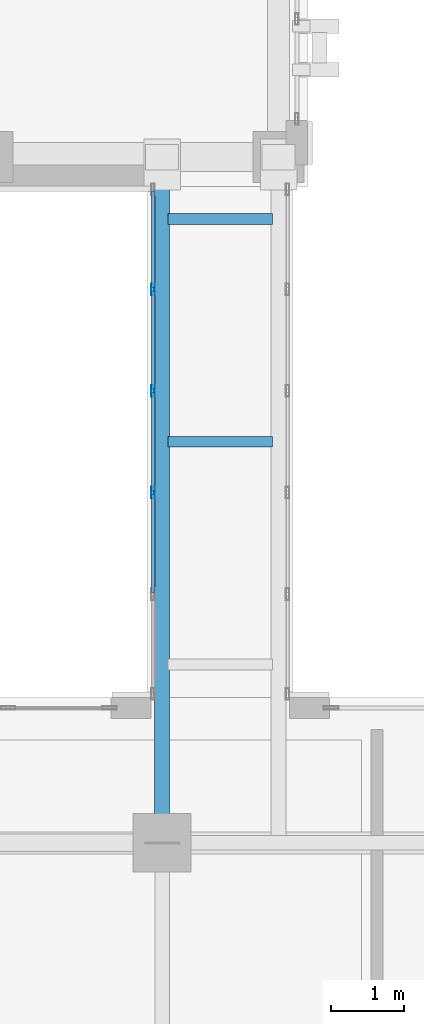
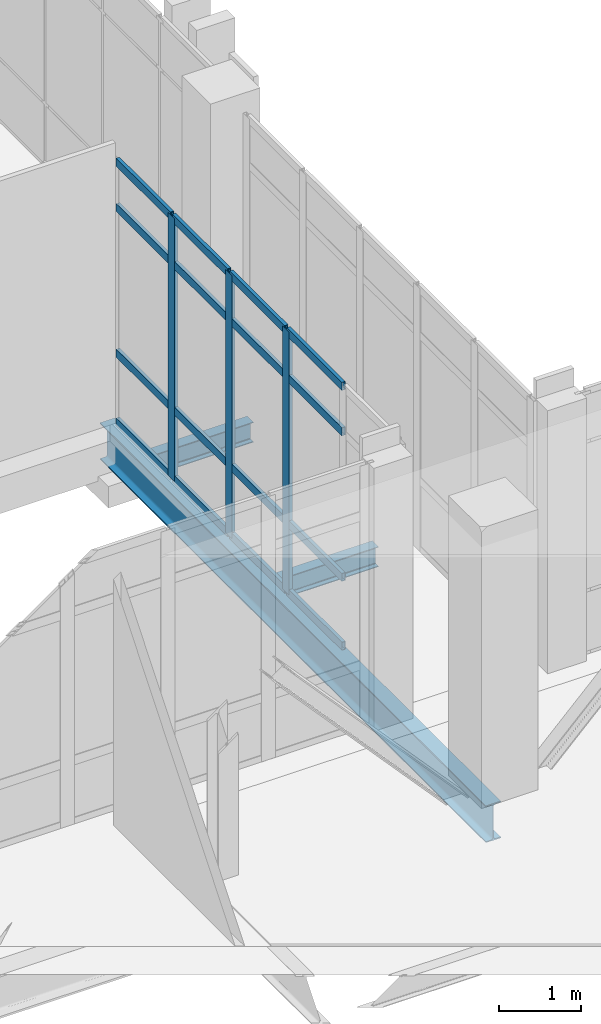
# One storey, part 20 of 165: 19 members, 3 beams, 1 element without a shape of its own.
"""IFC4 building model written with IfcOpenShell, lengths in metres."""

from ifc_helpers import new_model, si_unit, direction, frame, origin, origin_2d, place, context, subcontext, project, spatial, hollow_rectangle, i_section, extrude, material, layer, layer_set, material_profile, profile_set, type_object, element, aggregate, save


model = new_model("IFC4")

# Units and contexts
model_context = context("Model", 3, precision=1e-05, world=origin(), true_north=direction((0.0, 1.0)))
body_context = subcontext(model_context, "Body", "Model", "MODEL_VIEW")
ifc_project = project(units=[si_unit("LENGTHUNIT", "METRE"), si_unit("AREAUNIT", "SQUARE_METRE"), si_unit("VOLUMEUNIT", "CUBIC_METRE"), si_unit("PLANEANGLEUNIT", "RADIAN"), si_unit("MASSUNIT", "GRAM", prefix="KILO")], contexts=[model_context])

# Site, building, storey
site_placement = place(None, origin())
site = spatial("IfcSite", under=ifc_project, at=site_placement, CompositionType="ELEMENT")
building_placement = place(site_placement, origin())
building = spatial("IfcBuilding", under=site, at=building_placement, Name="Qalavern Law Courts", CompositionType="ELEMENT")
storey_placement = place(building_placement, frame((0.0, 0.0, 14.39990234375)))
storey = spatial("IfcBuildingStorey", under=building, at=storey_placement, Name="L03", CompositionType="ELEMENT", Elevation=14.39990234375)

# Curtain wall, members
ifc_material_1 = material(Name="Anodised aluminium and insulated glazing", Category="aluminium")
ifc_layer = layer(ifc_material_1, 0.14990234375)
ifc_layer_set = layer_set([ifc_layer], Name="Anodised aluminium and insulated glazing")
curtain_wall_type = type_object("IfcCurtainWallType", Name="ENV-CW-BRG", PredefinedType="USERDEFINED", material=ifc_layer_set)
curtain_wall_placement = place(storey_placement, origin())
curtain_wall = element("IfcCurtainWall", 1, at=curtain_wall_placement, inside=storey, type_object=curtain_wall_type, Name="Bridge BR-V1-V3 glazed curtain wall L03-1", ObjectType="UNITISED CURTAIN WALL", PredefinedType="USERDEFINED")
ifc_material_2 = material(Name="Anodised aluminium", Category="aluminium")
ifc_material_profile_1 = material_profile(ifc_material_2, hollow_rectangle(XDim=0.048095703125, YDim=0.159912109375, WallThickness=0.00390625, at=origin_2d()), Name="ALU MULLION 48x160")
ifc_profile_set_1 = profile_set([ifc_material_profile_1], Name="Anodised aluminium")
member_type_1 = type_object("IfcMemberType", Name="ENV-CWM-48x160", PredefinedType="MULLION", material=ifc_profile_set_1)
member_1_placement = place(storey_placement, frame((16.675048828125, 39.60400390625, 0.0), z_axis=(0.0, 0.0, 1.0), x_axis=(1.0, 0.0, 0.0)))
member_1 = element("IfcMember", 2, at=member_1_placement, type_object=member_type_1, Name="CW-06 mullion 2", PredefinedType="MULLION", context=body_context, shape_type="SweptSolid", body=[
    extrude(hollow_rectangle(XDim=0.048095703125, YDim=0.159912109375, WallThickness=0.00390625, at=origin_2d()), origin(), (0.0, 0.0, 1.0), 3.920166015625),
])
member_2_placement = place(storey_placement, frame((16.675048828125, 38.2080078125, 0.0), z_axis=(0.0, 0.0, 1.0), x_axis=(1.0, 0.0, 0.0)))
member_2 = element("IfcMember", 3, at=member_2_placement, type_object=member_type_1, Name="CW-06 mullion 3", PredefinedType="MULLION", context=body_context, shape_type="SweptSolid", body=[
    extrude(hollow_rectangle(XDim=0.048095703125, YDim=0.159912109375, WallThickness=0.00390625, at=origin_2d()), origin(), (0.0, 0.0, 1.0), 3.920166015625),
])
member_3_placement = place(storey_placement, frame((16.675048828125, 36.81201171875, 0.0), z_axis=(0.0, 0.0, 1.0), x_axis=(1.0, 0.0, 0.0)))
member_3 = element("IfcMember", 4, at=member_3_placement, type_object=member_type_1, Name="CW-06 mullion 4", PredefinedType="MULLION", context=body_context, shape_type="SweptSolid", body=[
    extrude(hollow_rectangle(XDim=0.048095703125, YDim=0.159912109375, WallThickness=0.00390625, at=origin_2d()), origin(), (0.0, 0.0, 1.0), 3.920166015625),
])
ifc_material_profile_2 = material_profile(ifc_material_2, hollow_rectangle(XDim=0.048095703125, YDim=0.1201171875, WallThickness=0.00390625, at=origin_2d()), Name="ALU TRANSOM 48x120")
ifc_profile_set_2 = profile_set([ifc_material_profile_2], Name="Anodised aluminium")
member_type_2 = type_object("IfcMemberType", Name="ENV-CWT-48x120", PredefinedType="USERDEFINED", material=ifc_profile_set_2)
member_4_placement = place(storey_placement, frame((16.675048828125, 40.951904296875, 0.024169921875), z_axis=(0.0, -1.0, 0.0), x_axis=(1.0, 0.0, 0.0)))
member_4 = element("IfcMember", 5, at=member_4_placement, type_object=member_type_2, Name="CW-06 transom 1.1", ObjectType="TRANSOM", PredefinedType="USERDEFINED", context=body_context, shape_type="SweptSolid", body=[
    extrude(hollow_rectangle(XDim=0.048095703125, YDim=0.1201171875, WallThickness=0.00390625, at=origin_2d()), origin(), (0.0, 0.0, 1.0), 1.323974609375),
])
member_5_placement = place(storey_placement, frame((16.675048828125, 40.951904296875, 1.050048828125), z_axis=(0.0, -1.0, 0.0), x_axis=(1.0, 0.0, 0.0)))
member_5 = element("IfcMember", 6, at=member_5_placement, type_object=member_type_2, Name="CW-06 transom 1.2", ObjectType="TRANSOM", PredefinedType="USERDEFINED", context=body_context, shape_type="SweptSolid", body=[
    extrude(hollow_rectangle(XDim=0.048095703125, YDim=0.1201171875, WallThickness=0.00390625, at=origin_2d()), origin(), (0.0, 0.0, 1.0), 1.323974609375),
])
member_6_placement = place(storey_placement, frame((16.675048828125, 40.951904296875, 3.22021484375), z_axis=(0.0, -1.0, 0.0), x_axis=(1.0, 0.0, 0.0)))
member_6 = element("IfcMember", 7, at=member_6_placement, type_object=member_type_2, Name="CW-06 transom 1.3", ObjectType="TRANSOM", PredefinedType="USERDEFINED", context=body_context, shape_type="SweptSolid", body=[
    extrude(hollow_rectangle(XDim=0.048095703125, YDim=0.1201171875, WallThickness=0.00390625, at=origin_2d()), origin(), (0.0, 0.0, 1.0), 1.323974609375),
])
member_7_placement = place(storey_placement, frame((16.675048828125, 40.951904296875, 3.89599609375), z_axis=(0.0, -1.0, 0.0), x_axis=(1.0, 0.0, 0.0)))
member_7 = element("IfcMember", 8, at=member_7_placement, type_object=member_type_2, Name="CW-06 transom 1.4", ObjectType="TRANSOM", PredefinedType="USERDEFINED", context=body_context, shape_type="SweptSolid", body=[
    extrude(hollow_rectangle(XDim=0.048095703125, YDim=0.1201171875, WallThickness=0.00390625, at=origin_2d()), origin(), (0.0, 0.0, 1.0), 1.323974609375),
])
member_8_placement = place(storey_placement, frame((16.675048828125, 39.580078125, 0.024169921875), z_axis=(0.0, -1.0, 0.0), x_axis=(1.0, 0.0, 0.0)))
member_8 = element("IfcMember", 9, at=member_8_placement, type_object=member_type_2, Name="CW-06 transom 2.1", ObjectType="TRANSOM", PredefinedType="USERDEFINED", context=body_context, shape_type="SweptSolid", body=[
    extrude(hollow_rectangle(XDim=0.048095703125, YDim=0.1201171875, WallThickness=0.00390625, at=origin_2d()), origin(), (0.0, 0.0, 1.0), 1.34814453125),
])
member_9_placement = place(storey_placement, frame((16.675048828125, 39.580078125, 1.050048828125), z_axis=(0.0, -1.0, 0.0), x_axis=(1.0, 0.0, 0.0)))
member_9 = element("IfcMember", 10, at=member_9_placement, type_object=member_type_2, Name="CW-06 transom 2.2", ObjectType="TRANSOM", PredefinedType="USERDEFINED", context=body_context, shape_type="SweptSolid", body=[
    extrude(hollow_rectangle(XDim=0.048095703125, YDim=0.1201171875, WallThickness=0.00390625, at=origin_2d()), origin(), (0.0, 0.0, 1.0), 1.34814453125),
])
member_10_placement = place(storey_placement, frame((16.675048828125, 39.580078125, 3.22021484375), z_axis=(0.0, -1.0, 0.0), x_axis=(1.0, 0.0, 0.0)))
member_10 = element("IfcMember", 11, at=member_10_placement, type_object=member_type_2, Name="CW-06 transom 2.3", ObjectType="TRANSOM", PredefinedType="USERDEFINED", context=body_context, shape_type="SweptSolid", body=[
    extrude(hollow_rectangle(XDim=0.048095703125, YDim=0.1201171875, WallThickness=0.00390625, at=origin_2d()), origin(), (0.0, 0.0, 1.0), 1.34814453125),
])
member_11_placement = place(storey_placement, frame((16.675048828125, 39.580078125, 3.89599609375), z_axis=(0.0, -1.0, 0.0), x_axis=(1.0, 0.0, 0.0)))
member_11 = element("IfcMember", 12, at=member_11_placement, type_object=member_type_2, Name="CW-06 transom 2.4", ObjectType="TRANSOM", PredefinedType="USERDEFINED", context=body_context, shape_type="SweptSolid", body=[
    extrude(hollow_rectangle(XDim=0.048095703125, YDim=0.1201171875, WallThickness=0.00390625, at=origin_2d()), origin(), (0.0, 0.0, 1.0), 1.34814453125),
])
member_12_placement = place(storey_placement, frame((16.675048828125, 38.18408203125, 0.024169921875), z_axis=(0.0, -1.0, 0.0), x_axis=(1.0, 0.0, 0.0)))
member_12 = element("IfcMember", 13, at=member_12_placement, type_object=member_type_2, Name="CW-06 transom 3.1", ObjectType="TRANSOM", PredefinedType="USERDEFINED", context=body_context, shape_type="SweptSolid", body=[
    extrude(hollow_rectangle(XDim=0.048095703125, YDim=0.1201171875, WallThickness=0.00390625, at=origin_2d()), origin(), (0.0, 0.0, 1.0), 1.34814453125),
])
member_13_placement = place(storey_placement, frame((16.675048828125, 38.18408203125, 1.050048828125), z_axis=(0.0, -1.0, 0.0), x_axis=(1.0, 0.0, 0.0)))
member_13 = element("IfcMember", 14, at=member_13_placement, type_object=member_type_2, Name="CW-06 transom 3.2", ObjectType="TRANSOM", PredefinedType="USERDEFINED", context=body_context, shape_type="SweptSolid", body=[
    extrude(hollow_rectangle(XDim=0.048095703125, YDim=0.1201171875, WallThickness=0.00390625, at=origin_2d()), origin(), (0.0, 0.0, 1.0), 1.34814453125),
])
member_14_placement = place(storey_placement, frame((16.675048828125, 38.18408203125, 3.22021484375), z_axis=(0.0, -1.0, 0.0), x_axis=(1.0, 0.0, 0.0)))
member_14 = element("IfcMember", 15, at=member_14_placement, type_object=member_type_2, Name="CW-06 transom 3.3", ObjectType="TRANSOM", PredefinedType="USERDEFINED", context=body_context, shape_type="SweptSolid", body=[
    extrude(hollow_rectangle(XDim=0.048095703125, YDim=0.1201171875, WallThickness=0.00390625, at=origin_2d()), origin(), (0.0, 0.0, 1.0), 1.34814453125),
])
member_15_placement = place(storey_placement, frame((16.675048828125, 38.18408203125, 3.89599609375), z_axis=(0.0, -1.0, 0.0), x_axis=(1.0, 0.0, 0.0)))
member_15 = element("IfcMember", 16, at=member_15_placement, type_object=member_type_2, Name="CW-06 transom 3.4", ObjectType="TRANSOM", PredefinedType="USERDEFINED", context=body_context, shape_type="SweptSolid", body=[
    extrude(hollow_rectangle(XDim=0.048095703125, YDim=0.1201171875, WallThickness=0.00390625, at=origin_2d()), origin(), (0.0, 0.0, 1.0), 1.34814453125),
])
member_16_placement = place(storey_placement, frame((16.675048828125, 36.7880859375, 0.024169921875), z_axis=(0.0, -1.0, 0.0), x_axis=(1.0, 0.0, 0.0)))
member_16 = element("IfcMember", 17, at=member_16_placement, type_object=member_type_2, Name="CW-06 transom 4.1", ObjectType="TRANSOM", PredefinedType="USERDEFINED", context=body_context, shape_type="SweptSolid", body=[
    extrude(hollow_rectangle(XDim=0.048095703125, YDim=0.1201171875, WallThickness=0.00390625, at=origin_2d()), origin(), (0.0, 0.0, 1.0), 1.34814453125),
])
member_17_placement = place(storey_placement, frame((16.675048828125, 36.7880859375, 1.050048828125), z_axis=(0.0, -1.0, 0.0), x_axis=(1.0, 0.0, 0.0)))
member_17 = element("IfcMember", 18, at=member_17_placement, type_object=member_type_2, Name="CW-06 transom 4.2", ObjectType="TRANSOM", PredefinedType="USERDEFINED", context=body_context, shape_type="SweptSolid", body=[
    extrude(hollow_rectangle(XDim=0.048095703125, YDim=0.1201171875, WallThickness=0.00390625, at=origin_2d()), origin(), (0.0, 0.0, 1.0), 1.34814453125),
])
member_18_placement = place(storey_placement, frame((16.675048828125, 36.7880859375, 3.22021484375), z_axis=(0.0, -1.0, 0.0), x_axis=(1.0, 0.0, 0.0)))
member_18 = element("IfcMember", 19, at=member_18_placement, type_object=member_type_2, Name="CW-06 transom 4.3", ObjectType="TRANSOM", PredefinedType="USERDEFINED", context=body_context, shape_type="SweptSolid", body=[
    extrude(hollow_rectangle(XDim=0.048095703125, YDim=0.1201171875, WallThickness=0.00390625, at=origin_2d()), origin(), (0.0, 0.0, 1.0), 1.34814453125),
])
member_19_placement = place(storey_placement, frame((16.675048828125, 36.7880859375, 3.89599609375), z_axis=(0.0, -1.0, 0.0), x_axis=(1.0, 0.0, 0.0)))
member_19 = element("IfcMember", 20, at=member_19_placement, type_object=member_type_2, Name="CW-06 transom 4.4", ObjectType="TRANSOM", PredefinedType="USERDEFINED", context=body_context, shape_type="SweptSolid", body=[
    extrude(hollow_rectangle(XDim=0.048095703125, YDim=0.1201171875, WallThickness=0.00390625, at=origin_2d()), origin(), (0.0, 0.0, 1.0), 1.34814453125),
])
aggregate(curtain_wall, [member_1, member_2, member_3, member_4, member_5, member_6, member_7, member_8, member_9, member_10, member_11, member_12, member_13, member_14, member_15, member_16, member_17, member_18, member_19])

# Beams
ifc_material_3 = material(Name="Steel S355", Category="steel")
ifc_material_profile_3 = material_profile(ifc_material_3, i_section(OverallWidth=0.2099609375, OverallDepth=0.550048828125, WebThickness=0.010986328125, FlangeThickness=0.01708984375, FilletRadius=0.02392578125, at=origin_2d()), Name="IPE 550")
ifc_profile_set_3 = profile_set([ifc_material_profile_3], Name="Steel S355")
beam_type_1 = type_object("IfcBeamType", Name="STR-BM-IPE550", PredefinedType="BEAM", material=ifc_profile_set_3)
beam_placement = place(storey_placement, frame((16.800048828125, 32.0, -0.559814453125), z_axis=(0.0, 1.0, 0.0), x_axis=(-1.0, 0.0, 0.0)))
element("IfcBeam", 21, at=beam_placement, inside=storey, type_object=beam_type_1, Name="Bridge BR-V1-V3 edge girder 1 L03", PredefinedType="BEAM", context=body_context, shape_type="SweptSolid", body=[
    extrude(i_section(OverallWidth=0.2099609375, OverallDepth=0.550048828125, WebThickness=0.010986328125, FlangeThickness=0.01708984375, FilletRadius=0.02392578125, at=origin_2d()), origin(), (0.0, 0.0, 1.0), 9.419921875),
])
ifc_material_profile_4 = material_profile(ifc_material_3, i_section(OverallWidth=0.14990234375, OverallDepth=0.300048828125, WebThickness=0.007080078125, FlangeThickness=0.0107421875, FilletRadius=0.014892578125, at=origin_2d()), Name="IPE 300")
ifc_profile_set_4 = profile_set([ifc_material_profile_4], Name="Steel S355")
beam_type_2 = type_object("IfcBeamType", Name="STR-JST-IPE300", PredefinedType="JOIST", material=ifc_profile_set_4)
for number, where, z_axis, x_axis, name in (
    (22, (16.8798828125, 37.510009765625, -0.434814453125), (1.0, 0.0, 0.0), (0.0, 1.0, 0.0), "Bridge BR-V1-V3 cross beam 2 L03"),
    (23, (16.8798828125, 40.570068359375, -0.434814453125), (1.0, 0.0, 0.0), (0.0, 1.0, 0.0), "Bridge BR-V1-V3 cross beam 3 L03"),
):
    element("IfcBeam", number, at=place(storey_placement, frame(where, z_axis=z_axis, x_axis=x_axis)), inside=storey, type_object=beam_type_2, Name=name, PredefinedType="JOIST", context=body_context, shape_type="SweptSolid", body=[
        extrude(i_section(OverallWidth=0.14990234375, OverallDepth=0.300048828125, WebThickness=0.007080078125, FlangeThickness=0.0107421875, FilletRadius=0.014892578125, at=origin_2d()), origin(), (0.0, 0.0, 1.0), 1.440185546875),
    ])

save(model, "model.ifc")
